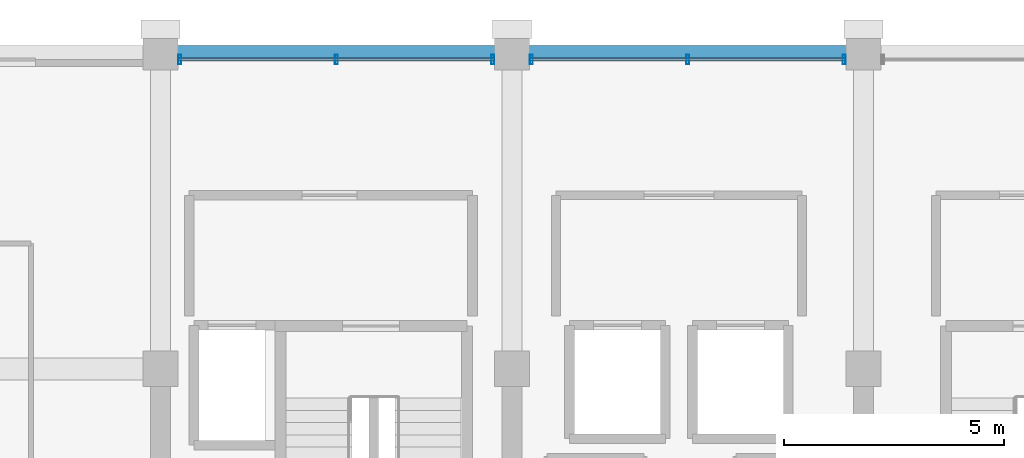
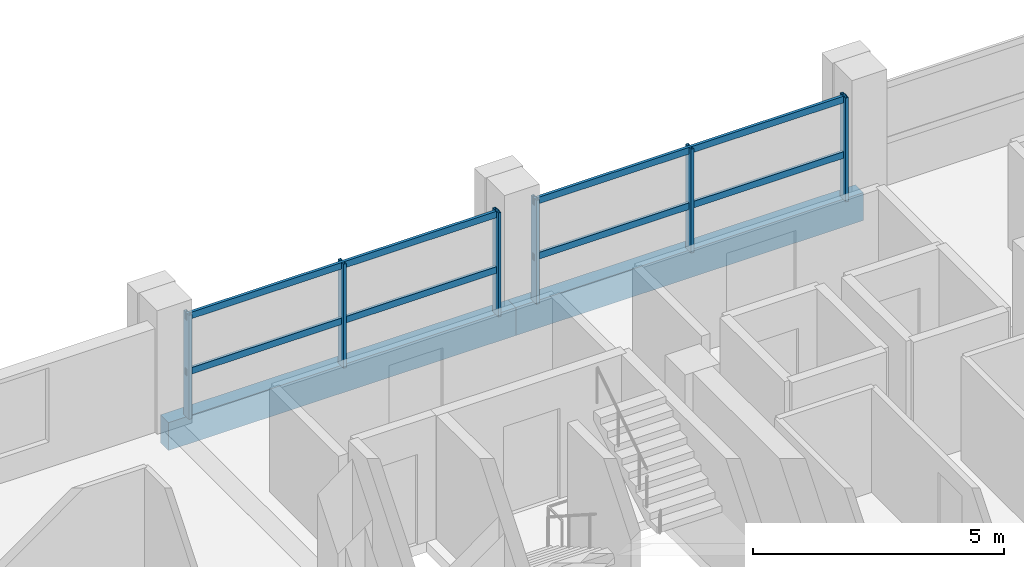
# One storey, part 10 of 21: 10 members, 2 beams, 2 elements without a shape of their own.
"""IFC4 building model written with IfcOpenShell, lengths in metres."""

from ifc_helpers import new_model, si_unit, direction, frame, origin, origin_2d, place, context, subcontext, project, spatial, rectangle, hollow_rectangle, extrude, material, material_profile, profile_set, type_object, element, aggregate, save


model = new_model("IFC4")

# Units and contexts
model_context = context("Model", 3, precision=1e-05, world=origin(), true_north=direction((0.0, 1.0)))
body_context = subcontext(model_context, "Body", "Model", "MODEL_VIEW")
ifc_project = project(units=[si_unit("LENGTHUNIT", "METRE"), si_unit("AREAUNIT", "SQUARE_METRE"), si_unit("VOLUMEUNIT", "CUBIC_METRE"), si_unit("PLANEANGLEUNIT", "RADIAN"), si_unit("MASSUNIT", "GRAM", prefix="KILO")], contexts=[model_context])

# Site, building, storey
site_placement = place(None, origin())
site = spatial("IfcSite", under=ifc_project, at=site_placement, CompositionType="ELEMENT")
building_placement = place(site_placement, origin())
building = spatial("IfcBuilding", under=site, at=building_placement, Name="Akrevak Sports Hall", CompositionType="ELEMENT")
storey_placement = place(building_placement, frame((0.0, 0.0, 37.300048828125)))
storey = spatial("IfcBuildingStorey", under=building, at=storey_placement, Name="L08", CompositionType="ELEMENT", Elevation=37.300048828125)

# Curtain wall, members
ifc_material_1 = material(Name="Anodized Bronze Aluminium & Low-E Glass", Category="aluminium")
curtain_wall_type = type_object("IfcCurtainWallType", Name="ARC-CW-TWR-72x30", PredefinedType="NOTDEFINED", material=ifc_material_1)
curtain_wall_1_placement = place(storey_placement, origin())
curtain_wall_1 = element("IfcCurtainWall", 1, at=curtain_wall_1_placement, inside=storey, type_object=curtain_wall_type, Name="Curtain Wall CW-L08-N24", PredefinedType="NOTDEFINED")
ifc_material_2 = material(Name="Anodized Bronze Aluminium", Category="aluminium")
ifc_material_profile_1 = material_profile(ifc_material_2, hollow_rectangle(XDim=0.06494140625, YDim=0.219970703125, WallThickness=0.00439453125, at=origin_2d()), Name="CWM 65x220", Category="aluminium")
ifc_profile_set_1 = profile_set([ifc_material_profile_1], Name="Anodized Bronze Aluminium")
member_type_1 = type_object("IfcMemberType", Name="ARC-CWM-70x160", PredefinedType="MULLION", material=ifc_profile_set_1)
member_1_placement = place(storey_placement, frame((75.56005859375, 69.43994140625, 0.0), z_axis=(0.0, 0.0, 1.0), x_axis=(-1.0, 0.0, 0.0)))
member_1 = element("IfcMember", 2, at=member_1_placement, type_object=member_type_1, Name="Curtain Wall Mullion CW-L08-N24-M1", PredefinedType="MULLION", context=body_context, shape_type="SweptSolid", body=[
    extrude(hollow_rectangle(XDim=0.06494140625, YDim=0.219970703125, WallThickness=0.00439453125, at=origin_2d()), origin(), (0.0, 0.0, 1.0), 2.530029296875),
])
member_2_placement = place(storey_placement, frame((72.0, 69.43994140625, 0.0), z_axis=(0.0, 0.0, 1.0), x_axis=(-1.0, 0.0, 0.0)))
member_2 = element("IfcMember", 3, at=member_2_placement, type_object=member_type_1, Name="Curtain Wall Mullion CW-L08-N24-M2", PredefinedType="MULLION", context=body_context, shape_type="SweptSolid", body=[
    extrude(hollow_rectangle(XDim=0.06494140625, YDim=0.219970703125, WallThickness=0.00439453125, at=origin_2d()), origin(), (0.0, 0.0, 1.0), 2.530029296875),
])
member_3_placement = place(storey_placement, frame((68.43994140625, 69.43994140625, 0.0), z_axis=(0.0, 0.0, 1.0), x_axis=(-1.0, 0.0, 0.0)))
member_3 = element("IfcMember", 4, at=member_3_placement, type_object=member_type_1, Name="Curtain Wall Mullion CW-L08-N24-M3", PredefinedType="MULLION", context=body_context, shape_type="SweptSolid", body=[
    extrude(hollow_rectangle(XDim=0.06494140625, YDim=0.219970703125, WallThickness=0.00439453125, at=origin_2d()), origin(), (0.0, 0.0, 1.0), 2.530029296875),
])

curtain_wall_2_placement = place(storey_placement, origin())
curtain_wall_2 = element("IfcCurtainWall", 5, at=curtain_wall_2_placement, inside=storey, type_object=curtain_wall_type, Name="Curtain Wall CW-L08-N25", PredefinedType="NOTDEFINED")
member_4_placement = place(storey_placement, frame((67.56005859375, 69.43994140625, 0.0), z_axis=(0.0, 0.0, 1.0), x_axis=(-1.0, 0.0, 0.0)))
member_4 = element("IfcMember", 6, at=member_4_placement, type_object=member_type_1, Name="Curtain Wall Mullion CW-L08-N25-M1", PredefinedType="MULLION", context=body_context, shape_type="SweptSolid", body=[
    extrude(hollow_rectangle(XDim=0.06494140625, YDim=0.219970703125, WallThickness=0.00439453125, at=origin_2d()), origin(), (0.0, 0.0, 1.0), 2.530029296875),
])
member_5_placement = place(storey_placement, frame((64.0, 69.43994140625, 0.0), z_axis=(0.0, 0.0, 1.0), x_axis=(-1.0, 0.0, 0.0)))
member_5 = element("IfcMember", 7, at=member_5_placement, type_object=member_type_1, Name="Curtain Wall Mullion CW-L08-N25-M2", PredefinedType="MULLION", context=body_context, shape_type="SweptSolid", body=[
    extrude(hollow_rectangle(XDim=0.06494140625, YDim=0.219970703125, WallThickness=0.00439453125, at=origin_2d()), origin(), (0.0, 0.0, 1.0), 2.530029296875),
])
member_6_placement = place(storey_placement, frame((60.43994140625, 69.43994140625, 0.0), z_axis=(0.0, 0.0, 1.0), x_axis=(-1.0, 0.0, 0.0)))
member_6 = element("IfcMember", 8, at=member_6_placement, type_object=member_type_1, Name="Curtain Wall Mullion CW-L08-N25-M3", PredefinedType="MULLION", context=body_context, shape_type="SweptSolid", body=[
    extrude(hollow_rectangle(XDim=0.06494140625, YDim=0.219970703125, WallThickness=0.00439453125, at=origin_2d()), origin(), (0.0, 0.0, 1.0), 2.530029296875),
])

# Member
ifc_material_profile_2 = material_profile(ifc_material_2, hollow_rectangle(XDim=0.06494140625, YDim=0.159912109375, WallThickness=0.00390625, at=origin_2d()), Name="CWT 65x160", Category="aluminium")
ifc_profile_set_2 = profile_set([ifc_material_profile_2], Name="Anodized Bronze Aluminium")
member_type_2 = type_object("IfcMemberType", Name="ARC-CWT-70x130", PredefinedType="USERDEFINED", material=ifc_profile_set_2)
member_7_placement = place(storey_placement, frame((75.60009765625, 69.43994140625, 1.099853515625), z_axis=(-1.0, 0.0, 0.0), x_axis=(0.0, -1.0, 0.0)))
member_7 = element("IfcMember", 9, at=member_7_placement, type_object=member_type_2, Name="Curtain Wall Transom CW-L08-N24-T1", ObjectType="TRANSOM", PredefinedType="USERDEFINED", context=body_context, shape_type="SweptSolid", body=[
    extrude(hollow_rectangle(XDim=0.06494140625, YDim=0.159912109375, WallThickness=0.00390625, at=origin_2d()), origin(), (0.0, 0.0, 1.0), 7.2001953125),
])

member_8_placement = place(storey_placement, frame((75.60009765625, 69.43994140625, 2.449951171875), z_axis=(-1.0, 0.0, 0.0), x_axis=(0.0, -1.0, 0.0)))
member_8 = element("IfcMember", 10, at=member_8_placement, type_object=member_type_2, Name="Curtain Wall Transom CW-L08-N24-T2", ObjectType="TRANSOM", PredefinedType="USERDEFINED", context=body_context, shape_type="SweptSolid", body=[
    extrude(hollow_rectangle(XDim=0.06494140625, YDim=0.159912109375, WallThickness=0.00390625, at=origin_2d()), origin(), (0.0, 0.0, 1.0), 7.2001953125),
])

aggregate(curtain_wall_1, [member_1, member_2, member_3, member_7, member_8])

member_9_placement = place(storey_placement, frame((67.60009765625, 69.43994140625, 1.099853515625), z_axis=(-1.0, 0.0, 0.0), x_axis=(0.0, -1.0, 0.0)))
member_9 = element("IfcMember", 11, at=member_9_placement, type_object=member_type_2, Name="Curtain Wall Transom CW-L08-N25-T1", ObjectType="TRANSOM", PredefinedType="USERDEFINED", context=body_context, shape_type="SweptSolid", body=[
    extrude(hollow_rectangle(XDim=0.06494140625, YDim=0.159912109375, WallThickness=0.00390625, at=origin_2d()), origin(), (0.0, 0.0, 1.0), 7.2001953125),
])

member_10_placement = place(storey_placement, frame((67.60009765625, 69.43994140625, 2.449951171875), z_axis=(-1.0, 0.0, 0.0), x_axis=(0.0, -1.0, 0.0)))
member_10 = element("IfcMember", 12, at=member_10_placement, type_object=member_type_2, Name="Curtain Wall Transom CW-L08-N25-T2", ObjectType="TRANSOM", PredefinedType="USERDEFINED", context=body_context, shape_type="SweptSolid", body=[
    extrude(hollow_rectangle(XDim=0.06494140625, YDim=0.159912109375, WallThickness=0.00390625, at=origin_2d()), origin(), (0.0, 0.0, 1.0), 7.2001953125),
])

aggregate(curtain_wall_2, [member_4, member_5, member_6, member_9, member_10])

# Beams
ifc_material_3 = material(Name="Concrete C40/50", Category="concrete")
ifc_material_profile_3 = material_profile(ifc_material_3, rectangle(XDim=0.320068359375, YDim=0.679931640625, at=origin_2d()), Name="SPD 320x680", Category="concrete")
ifc_profile_set_3 = profile_set([ifc_material_profile_3], Name="Concrete C40/50")
beam_type = type_object("IfcBeamType", Name="STR-SPD-RC320x680", PredefinedType="SPANDREL", material=ifc_profile_set_3)
for number, where, z_axis, x_axis, name in (
    (13, (60.0, 69.60009765625, -0.340087890625), (1.0, 0.0, 0.0), (0.0, 1.0, 0.0), "Girder K/9-10 (L08)"),
    (14, (68.0, 69.60009765625, -0.340087890625), (1.0, 0.0, 0.0), (0.0, 1.0, 0.0), "Girder K/10-11 (L08)"),
):
    element("IfcBeam", number, at=place(storey_placement, frame(where, z_axis=z_axis, x_axis=x_axis)), inside=storey, type_object=beam_type, Name=name, PredefinedType="SPANDREL", context=body_context, shape_type="SweptSolid", body=[
        extrude(rectangle(XDim=0.320068359375, YDim=0.679931640625, at=origin_2d()), origin(), (0.0, 0.0, 1.0), 8.0),
    ])

save(model, "model.ifc")
